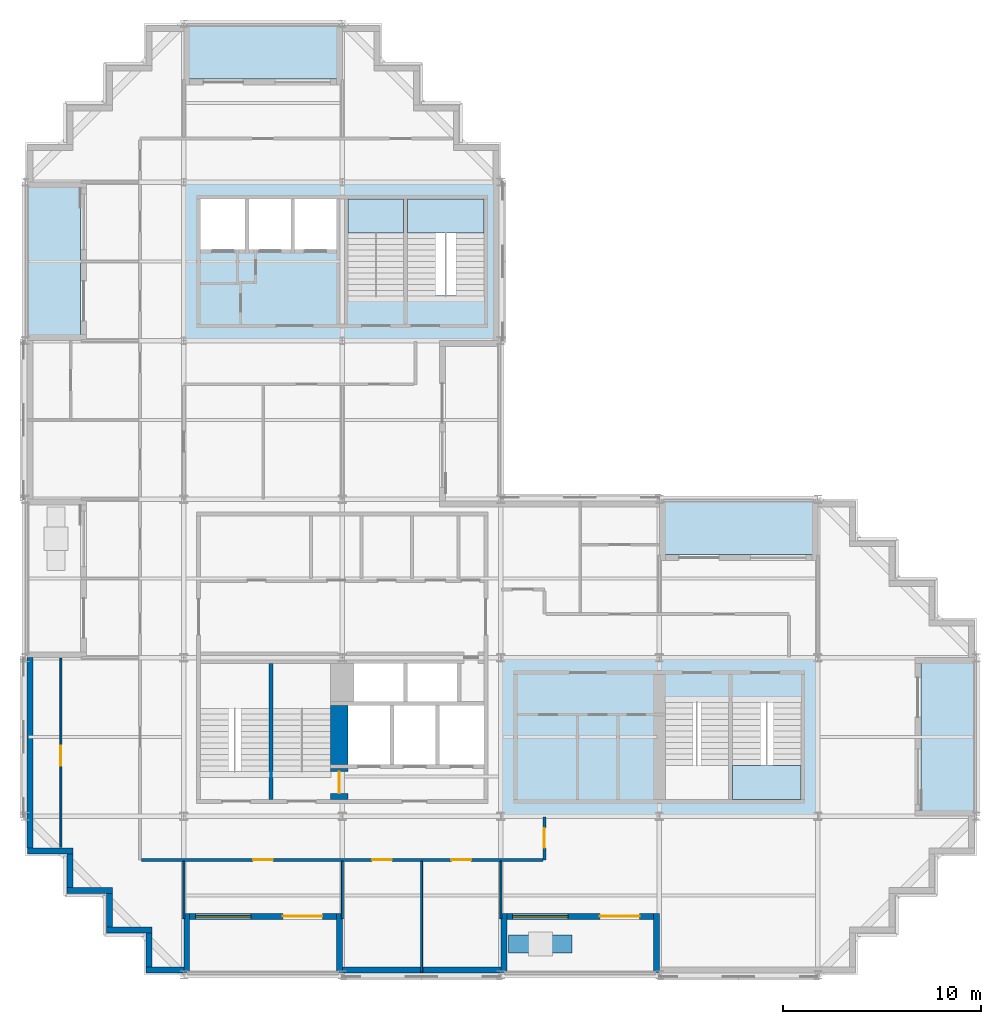
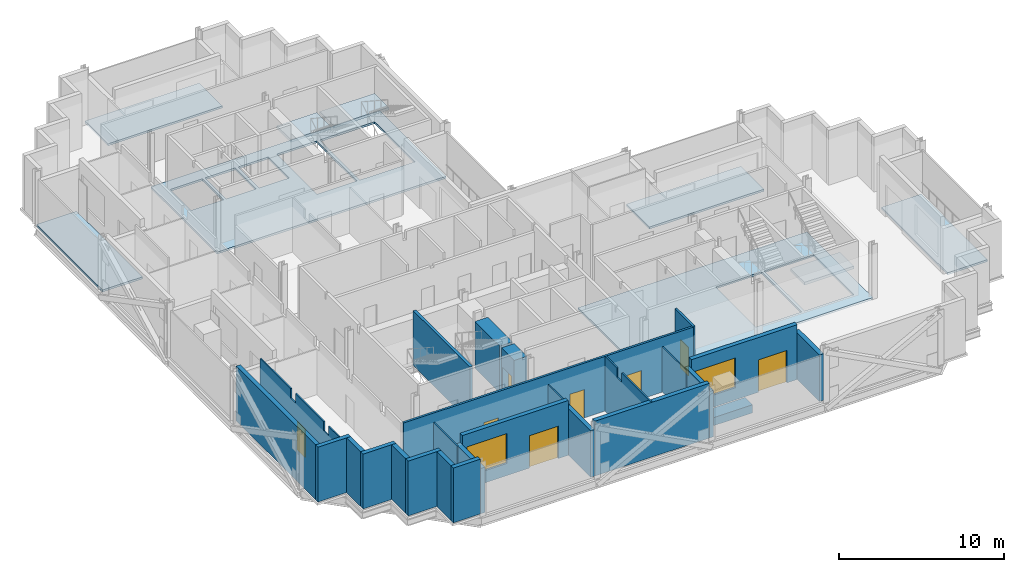
# One storey, part 4 of 13: 26 walls, 9 slabs, 8 doors, 2 windows, 10 openings, 3 elements without a shape of their own.
"""IFC4 building model written with IfcOpenShell, lengths in metres."""

import ifcopenshell
import ifcopenshell.guid

model = None  # the IFC model being written
_history = None  # IfcOwnerHistory: only IFC2X3 demands one
_inside = {}  # id of a spatial element -> (the spatial element, [elements in it])
_under = {}  # id of a project, library or spatial element -> (it, [spatial elements below it])
_declared = {}  # id of a project -> (the project, [libraries it declares])
_typed = {}  # id of a type object -> (the type object, [elements of that type])
_made_of = {}  # id of a material, layer set ... -> (it, [elements and type objects made of it])


def new_model(schema):
    """Start an empty IFC model of exactly this schema.

    Asked for "IFC4X3", IfcOpenShell would pick the latest addendum, in which some entities
    have other attributes; the version numbers below select the first issue.
    IFC2X3 requires an IfcOwnerHistory on every rooted entity: one is made here for all.
    """
    global model, _history
    if schema == "IFC4X3":
        model = ifcopenshell.file(schema_version=(4, 3, 0, 0))
    else:
        model = ifcopenshell.file(schema=schema)
    _inside.clear()
    _under.clear()
    _declared.clear()
    _typed.clear()
    _made_of.clear()
    _history = None
    if model.schema == "IFC2X3":
        org = make("IfcOrganization", Name="unknown")
        user = make(
            "IfcPersonAndOrganization",
            ThePerson=make("IfcPerson", FamilyName="unknown"),
            TheOrganization=org,
        )
        app = make(
            "IfcApplication",
            ApplicationDeveloper=org,
            Version="unknown",
            ApplicationFullName="unknown",
            ApplicationIdentifier="unknown",
        )
        _history = make(
            "IfcOwnerHistory",
            OwningUser=user,
            OwningApplication=app,
            ChangeAction="ADDED",
            CreationDate=0,
        )
    return model


def make(cls, **values):
    """One entity of the class cls with the attributes given. An attribute that is None is left unset."""
    return model.create_entity(
        cls, **{name: value for name, value in values.items() if value is not None}
    )


def rooted(cls, **values):
    """An entity with a GlobalId (a new one), such as an element, a storey or a relation."""
    return make(cls, GlobalId=ifcopenshell.guid.new(), OwnerHistory=_history, **values)


def si_unit(unit_type, name, prefix=None):
    """IfcSIUnit, for example si_unit("LENGTHUNIT", "METRE", prefix="MILLI")."""
    return make("IfcSIUnit", UnitType=unit_type, Prefix=prefix, Name=name)


def assignment(units):
    """IfcUnitAssignment: the units of a project."""
    return None if units is None else make("IfcUnitAssignment", Units=units)


def point(xyz):
    """IfcCartesianPoint."""
    return None if xyz is None else make("IfcCartesianPoint", Coordinates=xyz)


def direction(xyz):
    """IfcDirection."""
    return None if xyz is None else make("IfcDirection", DirectionRatios=xyz)


def frame(location, z_axis=None, x_axis=None):
    """IfcAxis2Placement3D, a coordinate frame: its origin and axes. An axis left out is left unset."""
    return make(
        "IfcAxis2Placement3D",
        Location=point(location),
        Axis=direction(z_axis),
        RefDirection=direction(x_axis),
    )


def frame_2d(location, x_axis=None):
    """IfcAxis2Placement2D, a coordinate frame in the plane: its origin and x axis."""
    return make(
        "IfcAxis2Placement2D", Location=point(location), RefDirection=direction(x_axis)
    )


def origin():
    """The frame at (0, 0, 0) with its axes left unset."""
    return frame((0.0, 0.0, 0.0))


def place(relative_to, where):
    """IfcLocalPlacement: puts the frame where relative to a parent placement (None: the world)."""
    return make(
        "IfcLocalPlacement", PlacementRelTo=relative_to, RelativePlacement=where
    )


def context(
    kind, dimensions, precision=None, world=None, true_north=None, identifier=None
):
    """IfcGeometricRepresentationContext, for example the 3D "Model" context."""
    return make(
        "IfcGeometricRepresentationContext",
        ContextIdentifier=identifier,
        ContextType=kind,
        CoordinateSpaceDimension=dimensions,
        Precision=precision,
        WorldCoordinateSystem=world,
        TrueNorth=true_north,
    )


def subcontext(parent, identifier, kind, view, scale=None):
    """IfcGeometricRepresentationSubContext, for example "Body" below "Model"."""
    return make(
        "IfcGeometricRepresentationSubContext",
        ContextIdentifier=identifier,
        ContextType=kind,
        ParentContext=parent,
        TargetScale=scale,
        TargetView=view,
    )


def project(units=None, contexts=None):
    """IfcProject with its units and contexts."""
    return rooted(
        "IfcProject",
        Name="project",
        RepresentationContexts=contexts,
        UnitsInContext=assignment(units),
    )


def spatial(cls, under=None, at=None, **own):
    """A site, building, storey or space (cls), placed at a placement, below another one or the project."""
    s = rooted(cls, ObjectPlacement=at, **own)
    if under is not None:
        _under.setdefault(under.id(), (under, []))[1].append(s)
    return s


def polyline(points):
    """IfcPolyline through the points."""
    return make("IfcPolyline", Points=[point(p) for p in points])


def profile(cls, at=None, kind="AREA", **sizes):
    """A parametric profile (cls). Its sizes go by their IFC names, for example OverallWidth=200.0."""
    return make(cls, ProfileType=kind, Position=at, **sizes)


def rectangle(**sizes):
    """IfcRectangleProfileDef."""
    return profile("IfcRectangleProfileDef", **sizes)


def outline(outer, holes=None, kind="AREA"):
    """IfcArbitraryClosedProfileDef: a profile drawn as a closed curve; with holes, ...WithVoids."""
    if holes is None:
        return make("IfcArbitraryClosedProfileDef", ProfileType=kind, OuterCurve=outer)
    return make(
        "IfcArbitraryProfileDefWithVoids",
        ProfileType=kind,
        OuterCurve=outer,
        InnerCurves=holes,
    )


def extrude(swept, where, along, depth):
    """IfcExtrudedAreaSolid: the profile swept, set in the frame where, extruded along a direction by depth."""
    return make(
        "IfcExtrudedAreaSolid",
        SweptArea=swept,
        Position=where,
        ExtrudedDirection=direction(along),
        Depth=depth,
    )


def shape(context_of_items, identifier, shape_type, items):
    """IfcShapeRepresentation: the items that make up one representation, for example the "Body"."""
    return make(
        "IfcShapeRepresentation",
        ContextOfItems=context_of_items,
        RepresentationIdentifier=identifier,
        RepresentationType=shape_type,
        Items=items,
    )


def material(Name=None, Category=None):
    """IfcMaterial."""
    return make("IfcMaterial", Name=Name, Category=Category)


def layer(
    of_material, thickness, ventilated=None, Name=None, Category=None, Priority=None
):
    """IfcMaterialLayer: one layer of a wall or slab, of a material (None: an air gap)."""
    return make(
        "IfcMaterialLayer",
        Material=of_material,
        LayerThickness=thickness,
        IsVentilated=ventilated,
        Name=Name,
        Category=Category,
        Priority=Priority,
    )


def layer_set(layers, Name=None):
    """IfcMaterialLayerSet."""
    return make("IfcMaterialLayerSet", MaterialLayers=layers, LayerSetName=Name)


def made_of(thing, what):
    """Note that an element or type object is made of a material, layer set ...; save() writes the relation."""
    if what is not None:
        _made_of.setdefault(what.id(), (what, []))[1].append(thing)
    return thing


def type_object(cls, material=None, **own):
    """A type object (cls), such as IfcWallType, which elements share."""
    return made_of(rooted(cls, **own), material)


def element(
    cls,
    number,
    at=None,
    inside=None,
    cuts=None,
    type_object=None,
    material=None,
    context=None,
    identifier="Body",
    shape_type=None,
    held_by="IfcProductDefinitionShape",
    body=None,
    shapes=None,
    **own,
):
    """One element of the class cls, such as IfcWall. Its Tag is "e" and its number.

    at: its placement. inside: the storey or other place that contains it. cuts: it is an
    opening in that element (IfcRelVoidsElement). A single representation is given by context,
    identifier, shape_type and body (its items); several are given by shapes. held_by: the class
    of the entity that holds the representations. save() writes the other relations.
    """
    e = rooted(cls, Tag="e%d" % number, ObjectPlacement=at, **own)
    if body is not None:
        shapes = [shape(context, identifier, shape_type, body)]
    if shapes is not None:
        e.Representation = make(held_by, Representations=shapes)
    if inside is not None:
        _inside.setdefault(inside.id(), (inside, []))[1].append(e)
    if cuts is not None:
        rooted(
            "IfcRelVoidsElement", RelatingBuildingElement=cuts, RelatedOpeningElement=e
        )
    if type_object is not None:
        _typed.setdefault(type_object.id(), (type_object, []))[1].append(e)
    return made_of(e, material)


def fill(opening, filler):
    """IfcRelFillsElement: the door or window that sits in an opening."""
    return rooted(
        "IfcRelFillsElement",
        RelatingOpeningElement=opening,
        RelatedBuildingElement=filler,
    )


def aggregate(whole, parts):
    """IfcRelAggregates: a whole, such as a stair, and the parts it consists of."""
    return rooted("IfcRelAggregates", RelatingObject=whole, RelatedObjects=parts)


def save(model, path):
    """Write the relations noted so far, then the file.

    IfcRelAggregates (storeys below a building ...), IfcRelContainedInSpatialStructure (elements
    in a storey), IfcRelDefinesByType, IfcRelAssociatesMaterial and IfcRelDeclares: one each for
    every whole, place, type object, material and project.
    """
    for whole, parts in _under.values():
        aggregate(whole, parts)
    for where, things in _inside.values():
        rooted(
            "IfcRelContainedInSpatialStructure",
            RelatedElements=things,
            RelatingStructure=where,
        )
    for kind, things in _typed.values():
        rooted("IfcRelDefinesByType", RelatedObjects=things, RelatingType=kind)
    for what, things in _made_of.values():
        rooted("IfcRelAssociatesMaterial", RelatedObjects=things, RelatingMaterial=what)
    for by, libraries in _declared.values():
        rooted("IfcRelDeclares", RelatingContext=by, RelatedDefinitions=libraries)
    model.write(path)


model = new_model("IFC4")

# Units and contexts
model_context = context("Model", 3, precision=1e-05, world=origin(), true_north=direction((0.0, 1.0)))
body_context = subcontext(model_context, "Body", "Model", "MODEL_VIEW")
ifc_project = project(units=[si_unit("LENGTHUNIT", "METRE"), si_unit("AREAUNIT", "SQUARE_METRE"), si_unit("VOLUMEUNIT", "CUBIC_METRE"), si_unit("PLANEANGLEUNIT", "RADIAN"), si_unit("MASSUNIT", "GRAM", prefix="KILO")], contexts=[model_context])

# Site, building, storey
site_placement = place(None, origin())
site = spatial("IfcSite", under=ifc_project, at=site_placement, CompositionType="ELEMENT")
building_placement = place(site_placement, origin())
building = spatial("IfcBuilding", under=site, at=building_placement, Name="Immortelle Media Tower", CompositionType="ELEMENT")
storey_placement = place(building_placement, frame((0.0, 0.0, 170.39990234375)))
storey = spatial("IfcBuildingStorey", under=building, at=storey_placement, Name="L35", CompositionType="ELEMENT", Elevation=170.39990234375)

# Slabs
ifc_material_1 = material(Name="Concrete C50/60 composite deck", Category="concrete")
ifc_layer_1 = layer(ifc_material_1, 0.14990234375)
ifc_layer_set_1 = layer_set([ifc_layer_1], Name="Concrete C50/60 composite deck")
slab_type_1 = type_object("IfcSlabType", Name="Balcony slab 150", PredefinedType="FLOOR", material=ifc_layer_set_1)
slab_1_placement = place(storey_placement, frame((0.0, 0.0, -0.14990234375)))
element("IfcSlab", 1, at=slab_1_placement, inside=storey, type_object=slab_type_1, Name="Balcony slab L35 E0", PredefinedType="FLOOR", context=body_context, shape_type="SweptSolid", body=[
    extrude(outline(polyline([(48.0, 8.0), (48.0, 16.0), (45.199951171875, 16.0), (45.199951171875, 8.0), (48.0, 8.0)])), origin(), (0.0, 0.0, 1.0), 0.14990234375),
])
slab_2_placement = place(storey_placement, frame((0.0, 0.0, -0.14990234375)))
element("IfcSlab", 2, at=slab_2_placement, inside=storey, type_object=slab_type_1, Name="Balcony slab L35 N0", PredefinedType="FLOOR", context=body_context, shape_type="SweptSolid", body=[
    extrude(outline(polyline([(40.0, 21.199951171875), (40.0, 24.0), (32.0, 24.0), (32.0, 21.199951171875), (40.0, 21.199951171875)])), origin(), (0.0, 0.0, 1.0), 0.14990234375),
])
slab_3_placement = place(storey_placement, frame((0.0, 0.0, -0.14990234375)))
element("IfcSlab", 3, at=slab_3_placement, inside=storey, type_object=slab_type_1, Name="Balcony slab L35 N0", PredefinedType="FLOOR", context=body_context, shape_type="SweptSolid", body=[
    extrude(outline(polyline([(16.0, 45.199951171875), (16.0, 48.0), (8.0, 48.0), (8.0, 45.199951171875), (16.0, 45.199951171875)])), origin(), (0.0, 0.0, 1.0), 0.14990234375),
])
slab_4_placement = place(storey_placement, frame((0.0, 0.0, -0.14990234375)))
element("IfcSlab", 4, at=slab_4_placement, inside=storey, type_object=slab_type_1, Name="Balcony slab L35 W0", PredefinedType="FLOOR", context=body_context, shape_type="SweptSolid", body=[
    extrude(outline(polyline([(2.800048828125, 32.0), (2.800048828125, 40.0), (0.0, 40.0), (0.0, 32.0), (2.800048828125, 32.0)])), origin(), (0.0, 0.0, 1.0), 0.14990234375),
])
ifc_material_2 = material(Name="Concrete C50/60", Category="concrete")
ifc_layer_2 = layer(ifc_material_2, 0.14990234375)
ifc_layer_set_2 = layer_set([ifc_layer_2], Name="Concrete C50/60")
slab_type_2 = type_object("IfcSlabType", Name="Core floor slab 150", PredefinedType="FLOOR", material=ifc_layer_set_2)
slab_5_placement = place(storey_placement, frame((0.0, 0.0, -0.14990234375)))
element("IfcSlab", 5, at=slab_5_placement, inside=storey, type_object=slab_type_2, Name="Core floor SE", PredefinedType="FLOOR", context=body_context, shape_type="SweptSolid", body=[
    extrude(outline(polyline([(24.0, 8.0), (40.0, 8.0), (40.0, 16.0), (24.0, 16.0), (24.0, 8.0)]), holes=[polyline([(32.300048828125, 8.85009765625), (35.5, 8.85009765625), (35.5, 13.72998046875), (32.300048828125, 13.72998046875), (32.300048828125, 8.85009765625)]), polyline([(35.699951171875, 8.85009765625), (39.14990234375, 8.85009765625), (39.14990234375, 13.72998046875), (35.699951171875, 13.72998046875), (35.699951171875, 8.85009765625)])]), origin(), (0.0, 0.0, 1.0), 0.14990234375),
])
slab_6_placement = place(storey_placement, frame((0.0, 0.0, -0.14990234375)))
element("IfcSlab", 6, at=slab_6_placement, inside=storey, type_object=slab_type_2, Name="Core floor NW", PredefinedType="FLOOR", context=body_context, shape_type="SweptSolid", body=[
    extrude(outline(polyline([(8.0, 32.0), (24.0, 32.0), (24.0, 40.0), (8.0, 40.0), (8.0, 32.0)]), holes=[polyline([(8.85009765625, 36.60009765625), (11.10009765625, 36.60009765625), (11.10009765625, 39.14990234375), (8.85009765625, 39.14990234375), (8.85009765625, 36.60009765625)]), polyline([(11.300048828125, 36.60009765625), (13.39990234375, 36.60009765625), (13.39990234375, 39.14990234375), (11.300048828125, 39.14990234375), (11.300048828125, 36.60009765625)]), polyline([(13.60009765625, 36.60009765625), (15.699951171875, 36.60009765625), (15.699951171875, 39.14990234375), (13.60009765625, 39.14990234375), (13.60009765625, 36.60009765625)]), polyline([(16.300048828125, 34.27001953125), (19.10009765625, 34.27001953125), (19.10009765625, 39.14990234375), (16.300048828125, 39.14990234375), (16.300048828125, 34.27001953125)]), polyline([(19.300048828125, 34.27001953125), (23.14990234375, 34.27001953125), (23.14990234375, 39.14990234375), (19.300048828125, 39.14990234375), (19.300048828125, 34.27001953125)])]), origin(), (0.0, 0.0, 1.0), 0.14990234375),
])

# Stair, slab
ifc_material_3 = material(Name="Steel ASTM A992 Gr 50", Category="steel")
stair_type = type_object("IfcStairType", Name="Stair with flights", PredefinedType="DOUBLE_RETURN_STAIR", material=ifc_material_3)
stair_1_placement = place(storey_placement, origin())
stair_1 = element("IfcStair", 7, at=stair_1_placement, inside=storey, type_object=stair_type, Name="Exit stair SE2", PredefinedType="DOUBLE_RETURN_STAIR")
ifc_material_4 = material(Name="Steel ASTM A572 Gr 50", Category="steel")
ifc_layer_3 = layer(ifc_material_4, 0.199951171875)
ifc_layer_set_3 = layer_set([ifc_layer_3], Name="Steel ASTM A572 Gr 50")
slab_type_3 = type_object("IfcSlabType", Name="Stair landing 200", PredefinedType="LANDING", material=ifc_layer_set_3)
slab_7_placement = place(storey_placement, frame((0.0, 0.0, 1.900146484375)))
slab_7 = element("IfcSlab", 8, at=slab_7_placement, type_object=slab_type_3, Name="ST SE2 landing 1", PredefinedType="LANDING", context=body_context, shape_type="SweptSolid", body=[
    extrude(outline(polyline([(35.699951171875, 8.85009765625), (39.14990234375, 8.85009765625), (39.14990234375, 10.56005859375), (35.699951171875, 10.56005859375), (35.699951171875, 8.85009765625)])), origin(), (0.0, 0.0, 1.0), 0.199951171875),
])
aggregate(stair_1, [slab_7])

stair_2_placement = place(storey_placement, origin())
stair_2 = element("IfcStair", 9, at=stair_2_placement, inside=storey, type_object=stair_type, Name="Exit stair NW1", PredefinedType="DOUBLE_RETURN_STAIR")
slab_8_placement = place(storey_placement, frame((0.0, 0.0, 1.900146484375)))
slab_8 = element("IfcSlab", 10, at=slab_8_placement, type_object=slab_type_3, Name="ST NW1 landing 1", PredefinedType="LANDING", context=body_context, shape_type="SweptSolid", body=[
    extrude(outline(polyline([(16.300048828125, 37.43994140625), (19.10009765625, 37.43994140625), (19.10009765625, 39.14990234375), (16.300048828125, 39.14990234375), (16.300048828125, 37.43994140625)])), origin(), (0.0, 0.0, 1.0), 0.199951171875),
])
aggregate(stair_2, [slab_8])

stair_3_placement = place(storey_placement, origin())
stair_3 = element("IfcStair", 11, at=stair_3_placement, inside=storey, type_object=stair_type, Name="Exit stair NW2", PredefinedType="DOUBLE_RETURN_STAIR")
slab_9_placement = place(storey_placement, frame((0.0, 0.0, 1.900146484375)))
slab_9 = element("IfcSlab", 12, at=slab_9_placement, type_object=slab_type_3, Name="ST NW2 landing 1", PredefinedType="LANDING", context=body_context, shape_type="SweptSolid", body=[
    extrude(outline(polyline([(19.300048828125, 37.43994140625), (23.14990234375, 37.43994140625), (23.14990234375, 39.14990234375), (19.300048828125, 39.14990234375), (19.300048828125, 37.43994140625)])), origin(), (0.0, 0.0, 1.0), 0.199951171875),
])
aggregate(stair_3, [slab_9])

# Wall, openings, doors
ifc_material_5 = material(Name="Fire-rated gypsum board", Category="gypsum")
ifc_layer_4 = layer(ifc_material_5, 0.012451171875)
ifc_material_6 = material(Name="Steel ASTM A653 SS Gr 50 stud frame with mineral wool", Category="steel")
ifc_layer_5 = layer(ifc_material_6, 0.125)
ifc_layer_6 = layer(ifc_material_5, 0.012451171875)
ifc_layer_set_4 = layer_set([ifc_layer_4, ifc_layer_5, ifc_layer_6], Name="Steel ASTM A653 SS Gr 50 stud frame with mineral wool")
wall_type_1 = type_object("IfcWallType", Name="Corridor wall 150", PredefinedType="PARTITIONING", material=ifc_layer_set_4)
wall_1_placement = place(storey_placement, frame((5.875, 5.800048828125, 0.0), z_axis=(0.0, 0.0, 1.0), x_axis=(1.0, 0.0, 0.0)))
wall_1 = element("IfcWall", 13, at=wall_1_placement, inside=storey, type_object=wall_type_1, Name="Partition L35-005", PredefinedType="PARTITIONING", context=body_context, shape_type="SweptSolid", body=[
    extrude(rectangle(XDim=20.25, YDim=0.14990234375, at=frame_2d((10.125, 0.0))), origin(), (0.0, 0.0, 1.0), 4.050048828125),
])
opening_1_placement = place(wall_1_placement, frame((12.625, 0.0, 0.0), z_axis=(0.0, 0.0, 1.0), x_axis=(-1.0, 0.0, 0.0)))
opening_1 = element("IfcOpeningElement", 14, at=opening_1_placement, cuts=wall_1, Name="Opening C5-F001", PredefinedType="OPENING", context=body_context, shape_type="SweptSolid", body=[
    extrude(rectangle(XDim=1.0, YDim=2.10009765625, at=frame_2d((0.5, 1.050048828125))), frame((0.0, 0.0849609375, 0.0), z_axis=(0.0, -1.0, 0.0), x_axis=(1.0, 0.0, 0.0)), (0.0, 0.0, 1.0), 0.169921875),
])
opening_2_placement = place(wall_1_placement, frame((16.625, 0.0, 0.0), z_axis=(0.0, 0.0, 1.0), x_axis=(-1.0, 0.0, 0.0)))
opening_2 = element("IfcOpeningElement", 15, at=opening_2_placement, cuts=wall_1, Name="Opening C5-F002", PredefinedType="OPENING", context=body_context, shape_type="SweptSolid", body=[
    extrude(rectangle(XDim=1.0, YDim=2.10009765625, at=frame_2d((0.5, 1.050048828125))), frame((0.0, 0.0849609375, 0.0), z_axis=(0.0, -1.0, 0.0), x_axis=(1.0, 0.0, 0.0)), (0.0, 0.0, 1.0), 0.169921875),
])
opening_3_placement = place(wall_1_placement, frame((6.625, 0.0, 0.0), z_axis=(0.0, 0.0, 1.0), x_axis=(-1.0, 0.0, 0.0)))
opening_3 = element("IfcOpeningElement", 16, at=opening_3_placement, cuts=wall_1, Name="Opening C5-F003", PredefinedType="OPENING", context=body_context, shape_type="SweptSolid", body=[
    extrude(rectangle(XDim=1.0, YDim=2.10009765625, at=frame_2d((0.5, 1.050048828125))), frame((0.0, 0.0849609375, 0.0), z_axis=(0.0, -1.0, 0.0), x_axis=(1.0, 0.0, 0.0)), (0.0, 0.0, 1.0), 0.169921875),
])
ifc_material_7 = material(Name="Timber veneered door leaf, galvanised steel frame ASTM A653", Category="steel")
door_type_1 = type_object("IfcDoorType", Name="Room door 1000 x 2100", OperationType="NOTDEFINED", PredefinedType="DOOR", material=ifc_material_7)
door_1_placement = place(opening_1_placement, origin())
door_1 = element("IfcDoor", 17, at=door_1_placement, inside=storey, type_object=door_type_1, Name="Door C5-F001", OperationType="SINGLE_SWING_RIGHT", OverallHeight=2.10009765625, OverallWidth=1.0, PredefinedType="DOOR", context=body_context, shape_type="SweptSolid", body=[
    extrude(rectangle(XDim=1.0, YDim=2.10009765625, at=frame_2d((0.5, 1.050048828125))), frame((0.0, 0.02490234375, 0.0), z_axis=(0.0, -1.0, 0.0), x_axis=(1.0, 0.0, 0.0)), (0.0, 0.0, 1.0), 0.050048828125),
])
fill(opening_1, door_1)
door_2_placement = place(opening_2_placement, origin())
door_2 = element("IfcDoor", 18, at=door_2_placement, inside=storey, type_object=door_type_1, Name="Door C5-F002", OperationType="SINGLE_SWING_RIGHT", OverallHeight=2.10009765625, OverallWidth=1.0, PredefinedType="DOOR", context=body_context, shape_type="SweptSolid", body=[
    extrude(rectangle(XDim=1.0, YDim=2.10009765625, at=frame_2d((0.5, 1.050048828125))), frame((0.0, 0.02490234375, 0.0), z_axis=(0.0, -1.0, 0.0), x_axis=(1.0, 0.0, 0.0)), (0.0, 0.0, 1.0), 0.050048828125),
])
fill(opening_2, door_2)
door_3_placement = place(opening_3_placement, origin())
door_3 = element("IfcDoor", 19, at=door_3_placement, inside=storey, type_object=door_type_1, Name="Door C5-F003", OperationType="SINGLE_SWING_LEFT", OverallHeight=2.10009765625, OverallWidth=1.0, PredefinedType="DOOR", context=body_context, shape_type="SweptSolid", body=[
    extrude(rectangle(XDim=1.0, YDim=2.10009765625, at=frame_2d((0.5, 1.050048828125))), frame((0.0, 0.02490234375, 0.0), z_axis=(0.0, -1.0, 0.0), x_axis=(1.0, 0.0, 0.0)), (0.0, 0.0, 1.0), 0.050048828125),
])
fill(opening_3, door_3)

# Wall, opening, door
wall_2_placement = place(storey_placement, frame((26.199951171875, 5.800048828125, 0.0), z_axis=(0.0, 0.0, 1.0), x_axis=(0.0, 1.0, 0.0)))
wall_2 = element("IfcWall", 20, at=wall_2_placement, inside=storey, type_object=wall_type_1, Name="Partition L35-007", PredefinedType="PARTITIONING", context=body_context, shape_type="SweptSolid", body=[
    extrude(rectangle(XDim=2.169921875, YDim=0.14990234375, at=frame_2d((1.0849609375, 0.0))), origin(), (0.0, 0.0, 1.0), 4.050048828125),
])
opening_4_placement = place(wall_2_placement, frame((1.60009765625, 0.0, 0.0), z_axis=(0.0, 0.0, 1.0), x_axis=(-1.0, 0.0, 0.0)))
opening_4 = element("IfcOpeningElement", 21, at=opening_4_placement, cuts=wall_2, Name="Opening C5-F004", PredefinedType="OPENING", context=body_context, shape_type="SweptSolid", body=[
    extrude(rectangle(XDim=1.0, YDim=2.10009765625, at=frame_2d((0.5, 1.050048828125))), frame((0.0, 0.0849609375, 0.0), z_axis=(0.0, -1.0, 0.0), x_axis=(1.0, 0.0, 0.0)), (0.0, 0.0, 1.0), 0.169921875),
])
door_4_placement = place(opening_4_placement, origin())
door_4 = element("IfcDoor", 22, at=door_4_placement, inside=storey, type_object=door_type_1, Name="Door C5-F004", OperationType="SINGLE_SWING_LEFT", OverallHeight=2.10009765625, OverallWidth=1.0, PredefinedType="DOOR", context=body_context, shape_type="SweptSolid", body=[
    extrude(rectangle(XDim=1.0, YDim=2.10009765625, at=frame_2d((0.5, 1.050048828125))), frame((0.0, 0.02490234375, 0.0), z_axis=(0.0, -1.0, 0.0), x_axis=(1.0, 0.0, 0.0)), (0.0, 0.0, 1.0), 0.050048828125),
])
fill(opening_4, door_4)

# Walls
ifc_material_8 = material(Name="Pale aluminium cladding panel", Category="aluminium")
ifc_layer_7 = layer(ifc_material_8, 0.030029296875)
ifc_layer_8 = layer(ifc_material_6, 0.257568359375)
ifc_material_9 = material(Name="Moisture-resistant gypsum board", Category="gypsum")
ifc_layer_9 = layer(ifc_material_9, 0.012451171875)
ifc_layer_set_5 = layer_set([ifc_layer_7, ifc_layer_8, ifc_layer_9], Name="Steel ASTM A653 SS Gr 50 stud frame with mineral wool")
wall_type_2 = type_object("IfcWallType", Name="Facade wall 300", PredefinedType="SOLIDWALL", material=ifc_layer_set_5)
wall_3_placement = place(storey_placement, frame((0.10009765625, 6.25, 0.0), z_axis=(0.0, 0.0, 1.0), x_axis=(1.0, 0.0, 0.0)))
element("IfcWall", 23, at=wall_3_placement, inside=storey, type_object=wall_type_2, Name="Facade wall L35 S0", PredefinedType="SOLIDWALL", context=body_context, shape_type="SweptSolid", body=[
    extrude(rectangle(XDim=2.2998046875, YDim=0.300048828125, at=frame_2d((1.14990234375, 0.0))), origin(), (0.0, 0.0, 1.0), 4.050048828125),
])
wall_4_placement = place(storey_placement, frame((2.25, 6.10009765625, 0.0), z_axis=(0.0, 0.0, 1.0), x_axis=(0.0, -1.0, 0.0)))
element("IfcWall", 24, at=wall_4_placement, inside=storey, type_object=wall_type_2, Name="Facade wall L35 W1", PredefinedType="SOLIDWALL", context=body_context, shape_type="SweptSolid", body=[
    extrude(rectangle(XDim=1.7001953125, YDim=0.300048828125, at=frame_2d((0.85009765625, 0.0))), origin(), (0.0, 0.0, 1.0), 4.050048828125),
])
wall_5_placement = place(storey_placement, frame((2.10009765625, 4.25, 0.0), z_axis=(0.0, 0.0, 1.0), x_axis=(1.0, 0.0, 0.0)))
element("IfcWall", 25, at=wall_5_placement, inside=storey, type_object=wall_type_2, Name="Facade wall L35 S2", PredefinedType="SOLIDWALL", context=body_context, shape_type="SweptSolid", body=[
    extrude(rectangle(XDim=2.2998046875, YDim=0.300048828125, at=frame_2d((1.14990234375, 0.0))), origin(), (0.0, 0.0, 1.0), 4.050048828125),
])
wall_6_placement = place(storey_placement, frame((4.25, 4.10009765625, 0.0), z_axis=(0.0, 0.0, 1.0), x_axis=(0.0, -1.0, 0.0)))
element("IfcWall", 26, at=wall_6_placement, inside=storey, type_object=wall_type_2, Name="Facade wall L35 W3", PredefinedType="SOLIDWALL", context=body_context, shape_type="SweptSolid", body=[
    extrude(rectangle(XDim=1.7001953125, YDim=0.300048828125, at=frame_2d((0.85009765625, 0.0))), origin(), (0.0, 0.0, 1.0), 4.050048828125),
])
wall_7_placement = place(storey_placement, frame((4.10009765625, 2.25, 0.0), z_axis=(0.0, 0.0, 1.0), x_axis=(1.0, 0.0, 0.0)))
element("IfcWall", 27, at=wall_7_placement, inside=storey, type_object=wall_type_2, Name="Facade wall L35 S4", PredefinedType="SOLIDWALL", context=body_context, shape_type="SweptSolid", body=[
    extrude(rectangle(XDim=2.2998046875, YDim=0.300048828125, at=frame_2d((1.14990234375, 0.0))), origin(), (0.0, 0.0, 1.0), 4.050048828125),
])
wall_8_placement = place(storey_placement, frame((6.25, 2.10009765625, 0.0), z_axis=(0.0, 0.0, 1.0), x_axis=(0.0, -1.0, 0.0)))
element("IfcWall", 28, at=wall_8_placement, inside=storey, type_object=wall_type_2, Name="Facade wall L35 W5", PredefinedType="SOLIDWALL", context=body_context, shape_type="SweptSolid", body=[
    extrude(rectangle(XDim=1.7001953125, YDim=0.300048828125, at=frame_2d((0.85009765625, 0.0))), origin(), (0.0, 0.0, 1.0), 4.050048828125),
])
wall_9_placement = place(storey_placement, frame((6.10009765625, 0.25, 0.0), z_axis=(0.0, 0.0, 1.0), x_axis=(1.0, 0.0, 0.0)))
element("IfcWall", 29, at=wall_9_placement, inside=storey, type_object=wall_type_2, Name="Facade wall L35 S6", PredefinedType="SOLIDWALL", context=body_context, shape_type="SweptSolid", body=[
    extrude(rectangle(XDim=1.89990234375, YDim=0.300048828125, at=frame_2d((0.949951171875, 0.0))), origin(), (0.0, 0.0, 1.0), 4.050048828125),
])

# Wall, openings, door, window
wall_10_placement = place(storey_placement, frame((8.300048828125, 2.949951171875, 0.0), z_axis=(0.0, 0.0, 1.0), x_axis=(1.0, 0.0, 0.0)))
wall_10 = element("IfcWall", 30, at=wall_10_placement, inside=storey, type_object=wall_type_2, Name="Loggia wall L35 S6", PredefinedType="SOLIDWALL", context=body_context, shape_type="SweptSolid", body=[
    extrude(rectangle(XDim=7.39990234375, YDim=0.300048828125, at=frame_2d((3.699951171875, 0.0))), origin(), (0.0, 0.0, 1.0), 4.050048828125),
])
opening_5_placement = place(wall_10_placement, frame((0.300048828125, 0.0, 0.89990234375)))
opening_5 = element("IfcOpeningElement", 31, at=opening_5_placement, cuts=wall_10, Name="Opening W1", PredefinedType="OPENING", context=body_context, shape_type="SweptSolid", body=[
    extrude(rectangle(XDim=2.800048828125, YDim=2.199951171875, at=frame_2d((1.39990234375, 1.10009765625))), frame((0.0, 0.159912109375, 0.0), z_axis=(0.0, -1.0, 0.0), x_axis=(1.0, 0.0, 0.0)), (0.0, 0.0, 1.0), 0.320068359375),
])
opening_6_placement = place(wall_10_placement, frame((4.699951171875, 0.0, 0.0)))
opening_6 = element("IfcOpeningElement", 32, at=opening_6_placement, cuts=wall_10, Name="Opening C5-E001", PredefinedType="OPENING", context=body_context, shape_type="SweptSolid", body=[
    extrude(rectangle(XDim=2.0, YDim=2.39990234375, at=frame_2d((1.0, 1.199951171875))), frame((0.0, 0.159912109375, 0.0), z_axis=(0.0, -1.0, 0.0), x_axis=(1.0, 0.0, 0.0)), (0.0, 0.0, 1.0), 0.320068359375),
])
ifc_material_10 = material(Name="Aluminium frame, glazed leaves", Category="aluminium")
door_type_2 = type_object("IfcDoorType", Name="Loggia door 2000 x 2400", OperationType="DOUBLE_DOOR_SINGLE_SWING", PredefinedType="DOOR", material=ifc_material_10)
door_5_placement = place(opening_6_placement, origin())
door_5 = element("IfcDoor", 33, at=door_5_placement, inside=storey, type_object=door_type_2, Name="Door C5-E001", OperationType="DOUBLE_DOOR_SINGLE_SWING", OverallHeight=2.39990234375, OverallWidth=2.0, PredefinedType="DOOR", context=body_context, shape_type="SweptSolid", body=[
    extrude(rectangle(XDim=2.0, YDim=2.39990234375, at=frame_2d((1.0, 1.199951171875))), frame((0.0, 0.02490234375, 0.0), z_axis=(0.0, -1.0, 0.0), x_axis=(1.0, 0.0, 0.0)), (0.0, 0.0, 1.0), 0.050048828125),
])
fill(opening_6, door_5)
ifc_material_11 = material(Name="Aluminium frame", Category="aluminium")
window_type = type_object("IfcWindowType", Name="Window 2800 x 2200", PartitioningType="SINGLE_PANEL", PredefinedType="WINDOW", material=ifc_material_11)
window_1_placement = place(opening_5_placement, origin())
window_1 = element("IfcWindow", 34, at=window_1_placement, inside=storey, type_object=window_type, Name="Window L35 L35-R6-B0", OverallHeight=2.199951171875, OverallWidth=2.800048828125, PartitioningType="SINGLE_PANEL", PredefinedType="WINDOW", context=body_context, shape_type="SweptSolid", body=[
    extrude(rectangle(XDim=2.800048828125, YDim=2.199951171875, at=frame_2d((1.39990234375, 1.10009765625))), frame((0.0, 0.030029296875, 0.0), z_axis=(0.0, -1.0, 0.0), x_axis=(1.0, 0.0, 0.0)), (0.0, 0.0, 1.0), 0.06005859375),
])
fill(opening_5, window_1)

# Walls
wall_11_placement = place(storey_placement, frame((8.14990234375, 0.10009765625, 0.0), z_axis=(0.0, 0.0, 1.0), x_axis=(0.0, 1.0, 0.0)))
element("IfcWall", 35, at=wall_11_placement, inside=storey, type_object=wall_type_2, Name="Loggia cheek wall L35 S", PredefinedType="SOLIDWALL", context=body_context, shape_type="SweptSolid", body=[
    extrude(rectangle(XDim=3.0, YDim=0.300048828125, at=frame_2d((1.5, 0.0))), origin(), (0.0, 0.0, 1.0), 3.35302734375),
])
wall_12_placement = place(storey_placement, frame((15.85009765625, 0.10009765625, 0.0), z_axis=(0.0, 0.0, 1.0), x_axis=(0.0, 1.0, 0.0)))
element("IfcWall", 36, at=wall_12_placement, inside=storey, type_object=wall_type_2, Name="Loggia cheek wall L35 S", PredefinedType="SOLIDWALL", context=body_context, shape_type="SweptSolid", body=[
    extrude(rectangle(XDim=3.0, YDim=0.300048828125, at=frame_2d((1.5, 0.0))), origin(), (0.0, 0.0, 1.0), 3.43701171875),
])
wall_13_placement = place(storey_placement, frame((16.0, 0.25, 0.0), z_axis=(0.0, 0.0, 1.0), x_axis=(1.0, 0.0, 0.0)))
element("IfcWall", 37, at=wall_13_placement, inside=storey, type_object=wall_type_2, Name="Facade wall L35 S6", PredefinedType="SOLIDWALL", context=body_context, shape_type="SweptSolid", body=[
    extrude(rectangle(XDim=8.0, YDim=0.300048828125, at=frame_2d((4.0, 0.0))), origin(), (0.0, 0.0, 1.0), 4.050048828125),
])

# Wall, openings, door, window
wall_14_placement = place(storey_placement, frame((24.300048828125, 2.949951171875, 0.0), z_axis=(0.0, 0.0, 1.0), x_axis=(1.0, 0.0, 0.0)))
wall_14 = element("IfcWall", 38, at=wall_14_placement, inside=storey, type_object=wall_type_2, Name="Loggia wall L35 S6", PredefinedType="SOLIDWALL", context=body_context, shape_type="SweptSolid", body=[
    extrude(rectangle(XDim=7.39990234375, YDim=0.300048828125, at=frame_2d((3.699951171875, 0.0))), origin(), (0.0, 0.0, 1.0), 4.050048828125),
])
opening_7_placement = place(wall_14_placement, frame((0.300048828125, 0.0, 0.89990234375)))
opening_7 = element("IfcOpeningElement", 39, at=opening_7_placement, cuts=wall_14, Name="Opening W1", PredefinedType="OPENING", context=body_context, shape_type="SweptSolid", body=[
    extrude(rectangle(XDim=2.800048828125, YDim=2.199951171875, at=frame_2d((1.39990234375, 1.10009765625))), frame((0.0, 0.159912109375, 0.0), z_axis=(0.0, -1.0, 0.0), x_axis=(1.0, 0.0, 0.0)), (0.0, 0.0, 1.0), 0.320068359375),
])
opening_8_placement = place(wall_14_placement, frame((4.699951171875, 0.0, 0.0)))
opening_8 = element("IfcOpeningElement", 40, at=opening_8_placement, cuts=wall_14, Name="Opening C5-E002", PredefinedType="OPENING", context=body_context, shape_type="SweptSolid", body=[
    extrude(rectangle(XDim=2.0, YDim=2.39990234375, at=frame_2d((1.0, 1.199951171875))), frame((0.0, 0.159912109375, 0.0), z_axis=(0.0, -1.0, 0.0), x_axis=(1.0, 0.0, 0.0)), (0.0, 0.0, 1.0), 0.320068359375),
])
door_6_placement = place(opening_8_placement, origin())
door_6 = element("IfcDoor", 41, at=door_6_placement, inside=storey, type_object=door_type_2, Name="Door C5-E002", OperationType="DOUBLE_DOOR_SINGLE_SWING", OverallHeight=2.39990234375, OverallWidth=2.0, PredefinedType="DOOR", context=body_context, shape_type="SweptSolid", body=[
    extrude(rectangle(XDim=2.0, YDim=2.39990234375, at=frame_2d((1.0, 1.199951171875))), frame((0.0, 0.02490234375, 0.0), z_axis=(0.0, -1.0, 0.0), x_axis=(1.0, 0.0, 0.0)), (0.0, 0.0, 1.0), 0.050048828125),
])
fill(opening_8, door_6)
window_2_placement = place(opening_7_placement, origin())
window_2 = element("IfcWindow", 42, at=window_2_placement, inside=storey, type_object=window_type, Name="Window L35 L35-R6-B2", OverallHeight=2.199951171875, OverallWidth=2.800048828125, PartitioningType="SINGLE_PANEL", PredefinedType="WINDOW", context=body_context, shape_type="SweptSolid", body=[
    extrude(rectangle(XDim=2.800048828125, YDim=2.199951171875, at=frame_2d((1.39990234375, 1.10009765625))), frame((0.0, 0.030029296875, 0.0), z_axis=(0.0, -1.0, 0.0), x_axis=(1.0, 0.0, 0.0)), (0.0, 0.0, 1.0), 0.06005859375),
])
fill(opening_7, window_2)

# Walls
for number, where, z_axis, x_axis, name in (
    (43, (24.14990234375, 0.10009765625, 0.0), (0.0, 0.0, 1.0), (0.0, 1.0, 0.0), "Loggia cheek wall L35 S"),
    (44, (31.85009765625, 0.10009765625, 0.0), (0.0, 0.0, 1.0), (0.0, 1.0, 0.0), "Loggia cheek wall L35 S"),
):
    element("IfcWall", number, at=place(storey_placement, frame(where, z_axis=z_axis, x_axis=x_axis)), inside=storey, type_object=wall_type_2, Name=name, PredefinedType="SOLIDWALL", context=body_context, shape_type="SweptSolid", body=[
        extrude(rectangle(XDim=3.0, YDim=0.300048828125, at=frame_2d((1.5, 0.0))), origin(), (0.0, 0.0, 1.0), 3.43701171875),
    ])
wall_15_placement = place(storey_placement, frame((0.25, 16.0, 0.0), z_axis=(0.0, 0.0, 1.0), x_axis=(0.0, -1.0, 0.0)))
element("IfcWall", 45, at=wall_15_placement, inside=storey, type_object=wall_type_2, Name="Facade wall L35 W35", PredefinedType="SOLIDWALL", context=body_context, shape_type="SweptSolid", body=[
    extrude(rectangle(XDim=9.60009765625, YDim=0.300048828125, at=frame_2d((4.800048828125, 0.0))), origin(), (0.0, 0.0, 1.0), 4.050048828125),
])
ifc_material_12 = material(Name="Gypsum board", Category="gypsum")
ifc_layer_10 = layer(ifc_material_12, 0.012451171875)
ifc_layer_11 = layer(ifc_material_6, 0.074951171875)
ifc_layer_12 = layer(ifc_material_12, 0.012451171875)
ifc_layer_set_6 = layer_set([ifc_layer_10, ifc_layer_11, ifc_layer_12], Name="Steel ASTM A653 SS Gr 50 stud frame with mineral wool")
wall_type_3 = type_object("IfcWallType", Name="Partition 100", PredefinedType="PARTITIONING", material=ifc_layer_set_6)
wall_16_placement = place(storey_placement, frame((20.0, 0.1298828125, 0.0), z_axis=(0.0, 0.0, 1.0), x_axis=(0.0, 1.0, 0.0)))
element("IfcWall", 46, at=wall_16_placement, inside=storey, type_object=wall_type_3, Name="Partition L35-001", PredefinedType="PARTITIONING", context=body_context, shape_type="SweptSolid", body=[
    extrude(outline(polyline([(0.0, 0.0), (5.59521484375, 0.0), (5.594970703125, 4.050048828125), (4.169921875, 4.050048828125), (4.16796875, 3.35400390625), (3.572021484375, 3.35400390625), (3.570068359375, 4.050048828125), (0.0, 4.050048828125), (0.0, 0.0)])), frame((0.0, 0.050048828125, 0.0), z_axis=(0.0, -1.0, 0.0), x_axis=(1.0, 0.0, 0.0)), (0.0, 0.0, 1.0), 0.10009765625),
])
for number, where, z_axis, x_axis, name in (
    (47, (8.0, 2.830078125, 0.0), (0.0, 0.0, 1.0), (0.0, 1.0, 0.0), "Partition L35-002"),
    (48, (16.0, 2.830078125, 0.0), (0.0, 0.0, 1.0), (0.0, 1.0, 0.0), "Partition L35-003"),
    (49, (24.0, 2.830078125, 0.0), (0.0, 0.0, 1.0), (0.0, 1.0, 0.0), "Partition L35-004"),
):
    element("IfcWall", number, at=place(storey_placement, frame(where, z_axis=z_axis, x_axis=x_axis)), inside=storey, type_object=wall_type_3, Name=name, PredefinedType="PARTITIONING", context=body_context, shape_type="SweptSolid", body=[
        extrude(rectangle(XDim=2.89501953125, YDim=0.10009765625, at=frame_2d((1.447509765625, 0.0))), origin(), (0.0, 0.0, 1.0), 3.35400390625),
    ])

# Wall, opening, door
wall_17_placement = place(storey_placement, frame((1.800048828125, 6.429931640625, 0.0), z_axis=(0.0, 0.0, 1.0), x_axis=(0.0, 1.0, 0.0)))
wall_17 = element("IfcWall", 50, at=wall_17_placement, inside=storey, type_object=wall_type_3, Name="Partition L35-008", PredefinedType="PARTITIONING", context=body_context, shape_type="SweptSolid", body=[
    extrude(outline(polyline([(0.0, 0.0), (9.5400390625, 0.0), (9.5400390625, 4.050048828125), (5.8701171875, 4.050048828125), (5.867919921875, 3.35400390625), (5.27197265625, 3.35400390625), (5.27001953125, 4.050048828125), (1.8701171875, 4.050048828125), (1.867919921875, 3.35400390625), (1.27197265625, 3.35400390625), (1.27001953125, 4.050048828125), (0.0, 4.050048828125), (0.0, 0.0)])), frame((0.0, 0.050048828125, 0.0), z_axis=(0.0, -1.0, 0.0), x_axis=(1.0, 0.0, 0.0)), (0.0, 0.0, 1.0), 0.10009765625),
])
opening_9_placement = place(wall_17_placement, frame((4.1201171875, 0.0, 0.0)))
opening_9 = element("IfcOpeningElement", 51, at=opening_9_placement, cuts=wall_17, Name="Opening C5-F006", PredefinedType="OPENING", context=body_context, shape_type="SweptSolid", body=[
    extrude(rectangle(XDim=1.0, YDim=2.10009765625, at=frame_2d((0.5, 1.050048828125))), frame((0.0, 0.06005859375, 0.0), z_axis=(0.0, -1.0, 0.0), x_axis=(1.0, 0.0, 0.0)), (0.0, 0.0, 1.0), 0.1201171875),
])
door_7_placement = place(opening_9_placement, origin())
door_7 = element("IfcDoor", 52, at=door_7_placement, inside=storey, type_object=door_type_1, Name="Door C5-F006", OperationType="SINGLE_SWING_LEFT", OverallHeight=2.10009765625, OverallWidth=1.0, PredefinedType="DOOR", context=body_context, shape_type="SweptSolid", body=[
    extrude(rectangle(XDim=1.0, YDim=2.10009765625, at=frame_2d((0.5, 1.050048828125))), frame((0.0, 0.02490234375, 0.0), z_axis=(0.0, -1.0, 0.0), x_axis=(1.0, 0.0, 0.0)), (0.0, 0.0, 1.0), 0.050048828125),
])
fill(opening_9, door_7)

# Walls
ifc_layer_13 = layer(ifc_material_8, 0.0029296875)
ifc_material_13 = material(Name="Steel ASTM A572 Gr 50 planter shell", Category="steel")
ifc_layer_14 = layer(ifc_material_13, 0.011962890625)
ifc_material_14 = material(Name="Planting substrate", Category="soil")
ifc_layer_15 = layer(ifc_material_14, 0.873046875)
ifc_layer_16 = layer(ifc_material_13, 0.011962890625)
ifc_layer_set_7 = layer_set([ifc_layer_13, ifc_layer_14, ifc_layer_15, ifc_layer_16], Name="Steel ASTM A572 Gr 50 planter shell")
wall_type_4 = type_object("IfcWallType", Name="Planter wall 900", PredefinedType="SOLIDWALL", material=ifc_layer_set_7)
wall_18_placement = place(storey_placement, frame((24.39990234375, 1.550048828125, 0.0), z_axis=(0.0, 0.0, 1.0), x_axis=(1.0, 0.0, 0.0)))
element("IfcWall", 53, at=wall_18_placement, inside=storey, type_object=wall_type_4, Name="Planter L35 S2", PredefinedType="SOLIDWALL", context=body_context, shape_type="SweptSolid", body=[
    extrude(rectangle(XDim=3.2001953125, YDim=0.89990234375, at=frame_2d((1.60009765625, 0.0))), origin(), (0.0, 0.0, 1.0), 0.60009765625),
])
ifc_material_15 = material(Name="Concrete C60", Category="concrete")
ifc_layer_17 = layer(ifc_material_15, 0.199951171875)
ifc_layer_set_8 = layer_set([ifc_layer_17], Name="Concrete C60")
wall_type_5 = type_object("IfcWallType", Name="Stair shaft wall 200", PredefinedType="PARTITIONING", material=ifc_layer_set_8)
wall_19_placement = place(storey_placement, frame((12.39990234375, 8.85009765625, 0.0), z_axis=(0.0, 0.0, 1.0), x_axis=(0.0, 1.0, 0.0)))
element("IfcWall", 54, at=wall_19_placement, inside=storey, type_object=wall_type_5, Name="Stair shaft wall SW", PredefinedType="PARTITIONING", context=body_context, shape_type="SweptSolid", body=[
    extrude(rectangle(XDim=6.849853515625, YDim=0.199951171875, at=frame_2d((3.4248046875, 0.0))), origin(), (0.0, 0.0, 1.0), 4.050048828125),
])

# Wall, opening, door
ifc_layer_18 = layer(ifc_material_15, 0.89990234375)
ifc_layer_set_9 = layer_set([ifc_layer_18], Name="Concrete C60")
wall_type_6 = type_object("IfcWallType", Name="Stair shaft wall 900", PredefinedType="PARTITIONING", material=ifc_layer_set_9)
wall_20_placement = place(storey_placement, frame((15.85009765625, 8.85009765625, 0.0), z_axis=(0.0, 0.0, 1.0), x_axis=(0.0, 1.0, 0.0)))
wall_20 = element("IfcWall", 55, at=wall_20_placement, inside=storey, type_object=wall_type_6, Name="Stair shaft wall SW", PredefinedType="PARTITIONING", context=body_context, shape_type="SweptSolid", body=[
    extrude(rectangle(XDim=1.5498046875, YDim=0.89990234375, at=frame_2d((0.77490234375, 0.0))), origin(), (0.0, 0.0, 1.0), 3.442138671875),
])
opening_10_placement = place(wall_20_placement, frame((0.300048828125, 0.0, 0.0)))
opening_10 = element("IfcOpeningElement", 56, at=opening_10_placement, cuts=wall_20, Name="Opening C5-K007", PredefinedType="OPENING", context=body_context, shape_type="SweptSolid", body=[
    extrude(rectangle(XDim=1.10009765625, YDim=2.10009765625, at=frame_2d((0.550048828125, 1.050048828125))), frame((0.0, 0.4599609375, 0.0), z_axis=(0.0, -1.0, 0.0), x_axis=(1.0, 0.0, 0.0)), (0.0, 0.0, 1.0), 0.919921875),
])
ifc_material_16 = material(Name="Galvanised steel door leaf and frame ASTM A653", Category="steel")
door_type_3 = type_object("IfcDoorType", Name="Stair lobby door 1100 x 2100", OperationType="NOTDEFINED", PredefinedType="NOTDEFINED", material=ifc_material_16)
door_8_placement = place(opening_10_placement, origin())
door_8 = element("IfcDoor", 57, at=door_8_placement, inside=storey, type_object=door_type_3, Name="Stair lobby C5-K007", OperationType="SINGLE_SWING_LEFT", OverallHeight=2.10009765625, OverallWidth=1.10009765625, PredefinedType="NOTDEFINED", context=body_context, shape_type="SweptSolid", body=[
    extrude(rectangle(XDim=1.10009765625, YDim=2.10009765625, at=frame_2d((0.550048828125, 1.050048828125))), frame((0.0, 0.02490234375, 0.0), z_axis=(0.0, -1.0, 0.0), x_axis=(1.0, 0.0, 0.0)), (0.0, 0.0, 1.0), 0.050048828125),
])
fill(opening_10, door_8)

# Wall
wall_21_placement = place(storey_placement, frame((15.85009765625, 10.60009765625, 0.0), z_axis=(0.0, 0.0, 1.0), x_axis=(0.0, 1.0, 0.0)))
element("IfcWall", 58, at=wall_21_placement, inside=storey, type_object=wall_type_6, Name="Stair shaft wall SW", PredefinedType="PARTITIONING", context=body_context, shape_type="SweptSolid", body=[
    extrude(rectangle(XDim=3.0, YDim=0.89990234375, at=frame_2d((1.5, 0.0))), origin(), (0.0, 0.0, 1.0), 3.442138671875),
])

save(model, "model.ifc")
